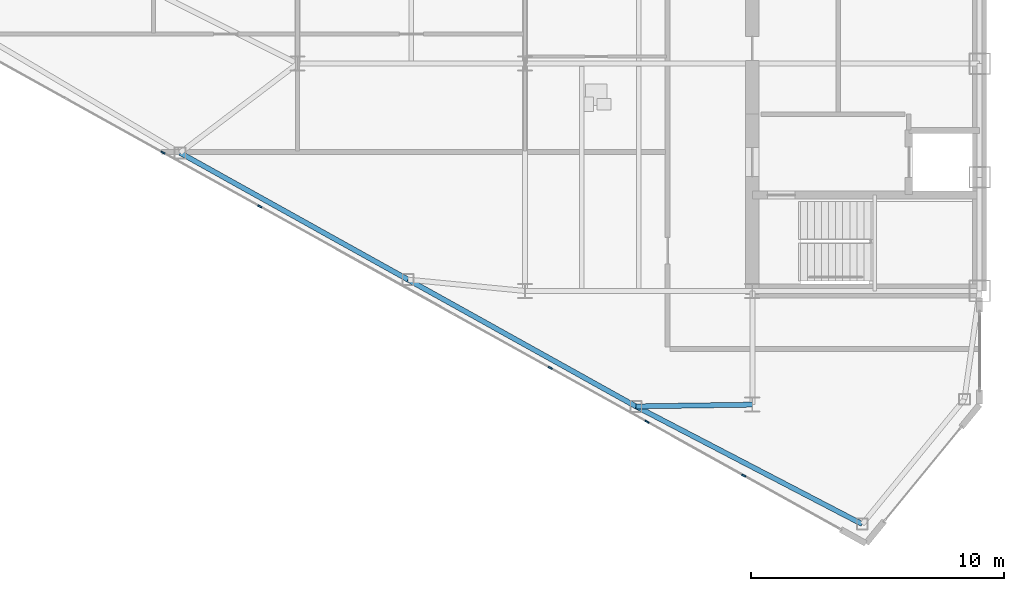
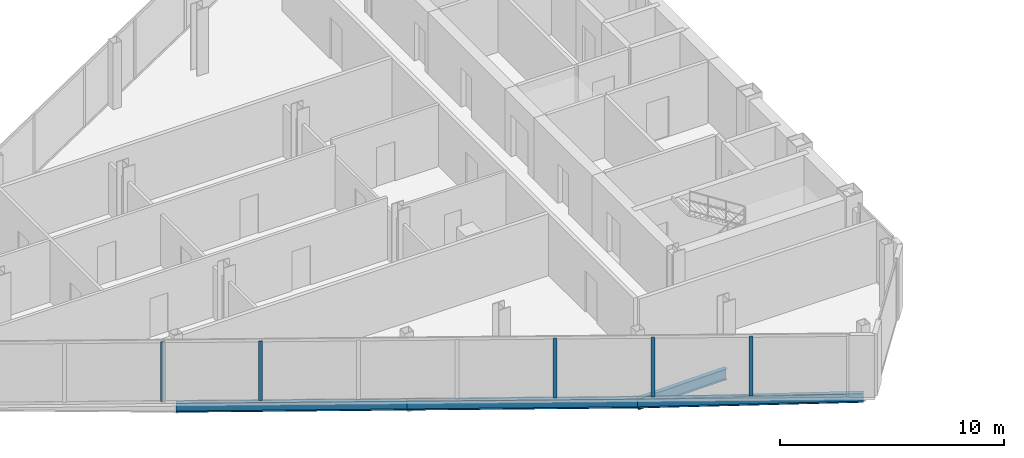
# One storey, part 3 of 26: 5 members, 4 beams, 1 element without a shape of its own.
"""IFC4 building model written with IfcOpenShell, lengths in metres."""

from ifc_helpers import new_model, si_unit, direction, frame, origin, origin_2d, place, context, subcontext, project, spatial, rectangle, i_section, extrude, source, transform, mapped, material, layer, layer_set, material_profile, profile_set, type_object, type_shapes, element, aggregate, save


model = new_model("IFC4")

# Units and contexts
model_context = context("Model", 3, precision=1e-05, world=origin(), true_north=direction((0.0, 1.0)))
body_context = subcontext(model_context, "Body", "Model", "MODEL_VIEW")
ifc_project = project(units=[si_unit("LENGTHUNIT", "METRE"), si_unit("AREAUNIT", "SQUARE_METRE"), si_unit("VOLUMEUNIT", "CUBIC_METRE"), si_unit("PLANEANGLEUNIT", "RADIAN"), si_unit("MASSUNIT", "GRAM", prefix="KILO")], contexts=[model_context])

# Site, building, storey
site_placement = place(None, origin())
site = spatial("IfcSite", under=ifc_project, at=site_placement, CompositionType="ELEMENT")
building_placement = place(site_placement, origin())
building = spatial("IfcBuilding", under=site, at=building_placement, Name="Seokmaru Belvedere", CompositionType="ELEMENT")
storey_placement = place(building_placement, frame((0.0, 0.0, 170.699951171875)))
storey = spatial("IfcBuildingStorey", under=building, at=storey_placement, Name="L45", CompositionType="ELEMENT", Elevation=170.699951171875)

# Beams
ifc_material_1 = material(Name="Steel SM355 (355 MPa)", Category="steel")
ifc_material_profile_1 = material_profile(ifc_material_1, i_section(OverallWidth=0.199951171875, OverallDepth=0.5, WebThickness=0.010009765625, FlangeThickness=0.01611328125, at=origin_2d()), Name="H-500x200x10x16")
ifc_profile_set_1 = profile_set([ifc_material_profile_1], Name="Steel SM355 (355 MPa)")
beam_type_1 = type_object("IfcBeamType", Name="Perimeter Spandrel Beam H-500", PredefinedType="SPANDREL", material=ifc_profile_set_1)
shared_shape_1 = source(origin(), body_context, "Body", "SweptSolid", [
    extrude(i_section(OverallWidth=0.199951171875, OverallDepth=0.5, WebThickness=0.010009765625, FlangeThickness=0.01611328125, at=origin_2d()), origin(), (0.0, 0.0, 1.0), 10.09716796875),
])
beam_1_placement = place(storey_placement, frame((-32.146728515625, -22.731689453125, -0.469970703125), z_axis=(-0.887085728914, 0.461604711369, 0.0), x_axis=(-0.461604711369, -0.887085728914, 0.0)))
element("IfcBeam", 1, at=beam_1_placement, inside=storey, type_object=beam_type_1, Name="L45 W Faceted Flank Spandrel S-1", PredefinedType="SPANDREL", context=body_context, shape_type="MappedRepresentation", body=[
    mapped(shared_shape_1, transform((0.0, 0.0, 0.0), scale=1.0)),
])
shared_shape_2 = source(origin(), body_context, "Body", "SweptSolid", [
    extrude(i_section(OverallWidth=0.199951171875, OverallDepth=0.5, WebThickness=0.010009765625, FlangeThickness=0.01611328125, at=origin_2d()), origin(), (0.0, 0.0, 1.0), 10.327392578125),
])
type_shapes(beam_type_1, [shared_shape_1, shared_shape_2])
for number, where, z_axis, x_axis, name in (
    (2, (-41.103759765625, -18.07080078125, -0.469970703125), (-0.873924120588, 0.486062374037, 0.0), (-0.486062374037, -0.873924120588, 0.0), "L45 W Faceted Flank Spandrel S-2"),
    (3, (-50.129150390625, -13.051025390625, -0.469970703125), (-0.873934162361, 0.48604431882, 0.0), (-0.48604431882, -0.873934162361, 0.0), "L45 W Faceted Flank Spandrel S-3"),
):
    element("IfcBeam", number, at=place(storey_placement, frame(where, z_axis=z_axis, x_axis=x_axis)), inside=storey, type_object=beam_type_1, Name=name, PredefinedType="SPANDREL", context=body_context, shape_type="MappedRepresentation", body=[
        mapped(shared_shape_2, transform((0.0, 0.0, 0.0), scale=1.0)),
    ])
ifc_material_profile_2 = material_profile(ifc_material_1, i_section(OverallWidth=0.199951171875, OverallDepth=0.60009765625, WebThickness=0.010986328125, FlangeThickness=0.01708984375, at=origin_2d()), Name="H-600x200x11x17")
ifc_profile_set_2 = profile_set([ifc_material_profile_2], Name="Steel SM355 (355 MPa)")
beam_type_2 = type_object("IfcBeamType", Name="Primary Floor Girder H-600", PredefinedType="BEAM", material=ifc_profile_set_2)
shared_shape_3 = source(origin(), body_context, "Body", "SweptSolid", [
    extrude(i_section(OverallWidth=0.199951171875, OverallDepth=0.60009765625, WebThickness=0.010986328125, FlangeThickness=0.01708984375, at=origin_2d()), origin(), (0.0, 0.0, 1.0), 4.604248046875),
])
type_shapes(beam_type_2, [shared_shape_3])
beam_2_placement = place(storey_placement, frame((-41.103759765625, -18.07080078125, -0.52001953125), z_axis=(0.999881765622, 0.01537708607, 0.0), x_axis=(-0.01537708607, 0.999881765622, 0.0)))
element("IfcBeam", 4, at=beam_2_placement, inside=storey, type_object=beam_type_2, Name="L45 W Flank Radial Floor Girder S-1", PredefinedType="BEAM", context=body_context, shape_type="MappedRepresentation", body=[
    mapped(shared_shape_3, transform((0.0, 0.0, 0.0), scale=1.0)),
])

# Curtain wall, members
ifc_material_2 = material(Name="Bronze Triple Insulating Glass", Category="glass")
ifc_layer = layer(ifc_material_2, 0.179931640625)
ifc_layer_set = layer_set([ifc_layer], Name="Bronze Triple Insulating Glass")
curtain_wall_type = type_object("IfcCurtainWallType", Name="High-Rise Wind-Corner Curtain Wall System CW-5", PredefinedType="NOTDEFINED", material=ifc_layer_set)
curtain_wall_placement = place(storey_placement, origin())
curtain_wall = element("IfcCurtainWall", 5, at=curtain_wall_placement, inside=storey, type_object=curtain_wall_type, Name="L45 Curtain Wall WF5", PredefinedType="NOTDEFINED")
ifc_material_3 = material(Name="Anodised Bronze Aluminium", Category="aluminium")
ifc_material_profile_3 = material_profile(ifc_material_3, rectangle(XDim=0.06494140625, YDim=0.179931640625, at=origin_2d()), Name="CW-M-65x180")
ifc_profile_set_3 = profile_set([ifc_material_profile_3], Name="Anodised Bronze Aluminium")
member_type = type_object("IfcMemberType", Name="Bronze Unitised Mullion 65x180", PredefinedType="MULLION", material=ifc_profile_set_3)
shared_shape_4 = source(origin(), body_context, "Body", "SweptSolid", [
    extrude(rectangle(XDim=0.06494140625, YDim=0.179931640625, at=origin_2d()), origin(), (0.0, 0.0, 1.0), 3.25),
])
type_shapes(member_type, [shared_shape_4])
member_1_placement = place(storey_placement, frame((-59.83056640625, -8.021728515625, 0.06494140625), z_axis=(0.0, 0.0, 1.0), x_axis=(0.486047125147, 0.873932601598, 0.0)))
member_1 = element("IfcMember", 6, at=member_1_placement, type_object=member_type, Name="CW:L45:WF5 Mullion 3", PredefinedType="MULLION", context=body_context, shape_type="MappedRepresentation", body=[
    mapped(shared_shape_4, transform((0.0, 0.0, 0.0), scale=1.0)),
])
member_2_placement = place(storey_placement, frame((-55.998291015625, -10.153076171875, 0.06494140625), z_axis=(0.0, 0.0, 1.0), x_axis=(0.486047125147, 0.873932601598, 0.0)))
member_2 = element("IfcMember", 7, at=member_2_placement, type_object=member_type, Name="CW:L45:WF5 Mullion 4", PredefinedType="MULLION", context=body_context, shape_type="MappedRepresentation", body=[
    mapped(shared_shape_4, transform((0.0, 0.0, 0.0), scale=1.0)),
])
member_3_placement = place(storey_placement, frame((-44.501708984375, -16.547119140625, 0.06494140625), z_axis=(0.0, 0.0, 1.0), x_axis=(0.486047125147, 0.873932601598, 0.0)))
member_3 = element("IfcMember", 8, at=member_3_placement, type_object=member_type, Name="CW:L45:WF5 Mullion 7", PredefinedType="MULLION", context=body_context, shape_type="MappedRepresentation", body=[
    mapped(shared_shape_4, transform((0.0, 0.0, 0.0), scale=1.0)),
])
member_4_placement = place(storey_placement, frame((-40.66943359375, -18.67822265625, 0.06494140625), z_axis=(0.0, 0.0, 1.0), x_axis=(0.486047125147, 0.873932601598, 0.0)))
member_4 = element("IfcMember", 9, at=member_4_placement, type_object=member_type, Name="CW:L45:WF5 Mullion 8", PredefinedType="MULLION", context=body_context, shape_type="MappedRepresentation", body=[
    mapped(shared_shape_4, transform((0.0, 0.0, 0.0), scale=1.0)),
])
member_5_placement = place(storey_placement, frame((-36.837158203125, -20.809814453125, 0.06494140625), z_axis=(0.0, 0.0, 1.0), x_axis=(0.486047125147, 0.873932601598, 0.0)))
member_5 = element("IfcMember", 10, at=member_5_placement, type_object=member_type, Name="CW:L45:WF5 Mullion 9", PredefinedType="MULLION", context=body_context, shape_type="MappedRepresentation", body=[
    mapped(shared_shape_4, transform((0.0, 0.0, 0.0), scale=1.0)),
])
aggregate(curtain_wall, [member_1, member_2, member_3, member_4, member_5])

save(model, "model.ifc")
